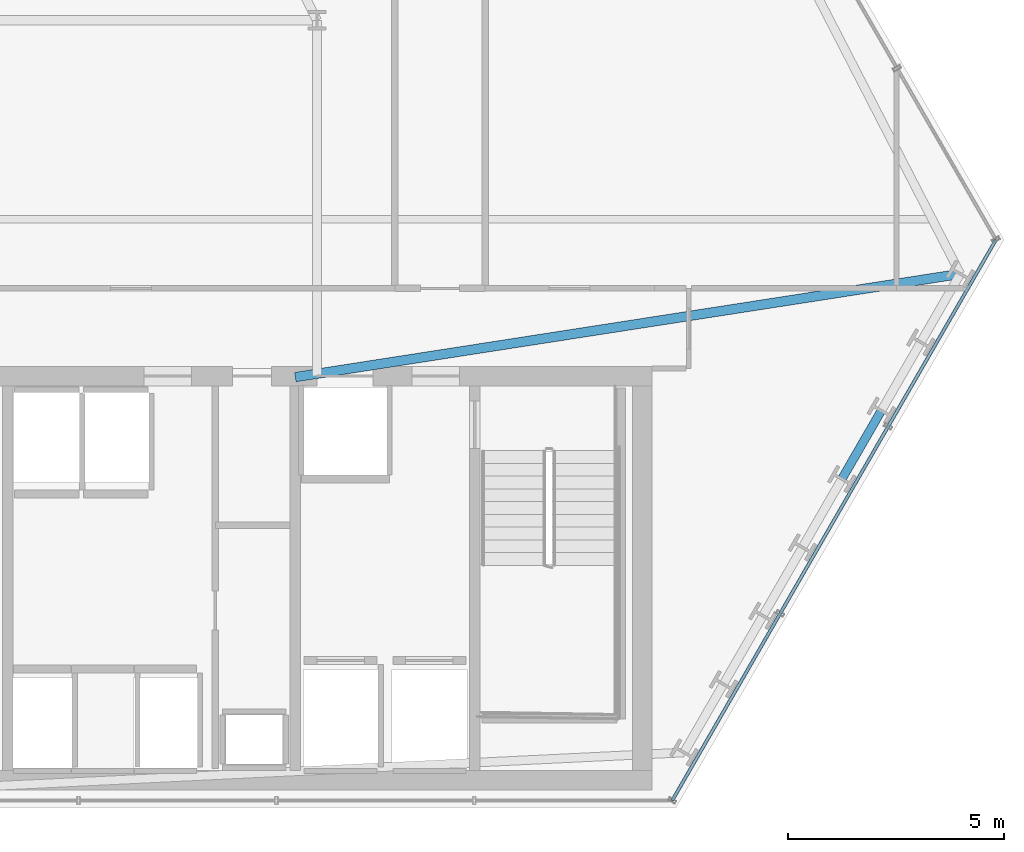
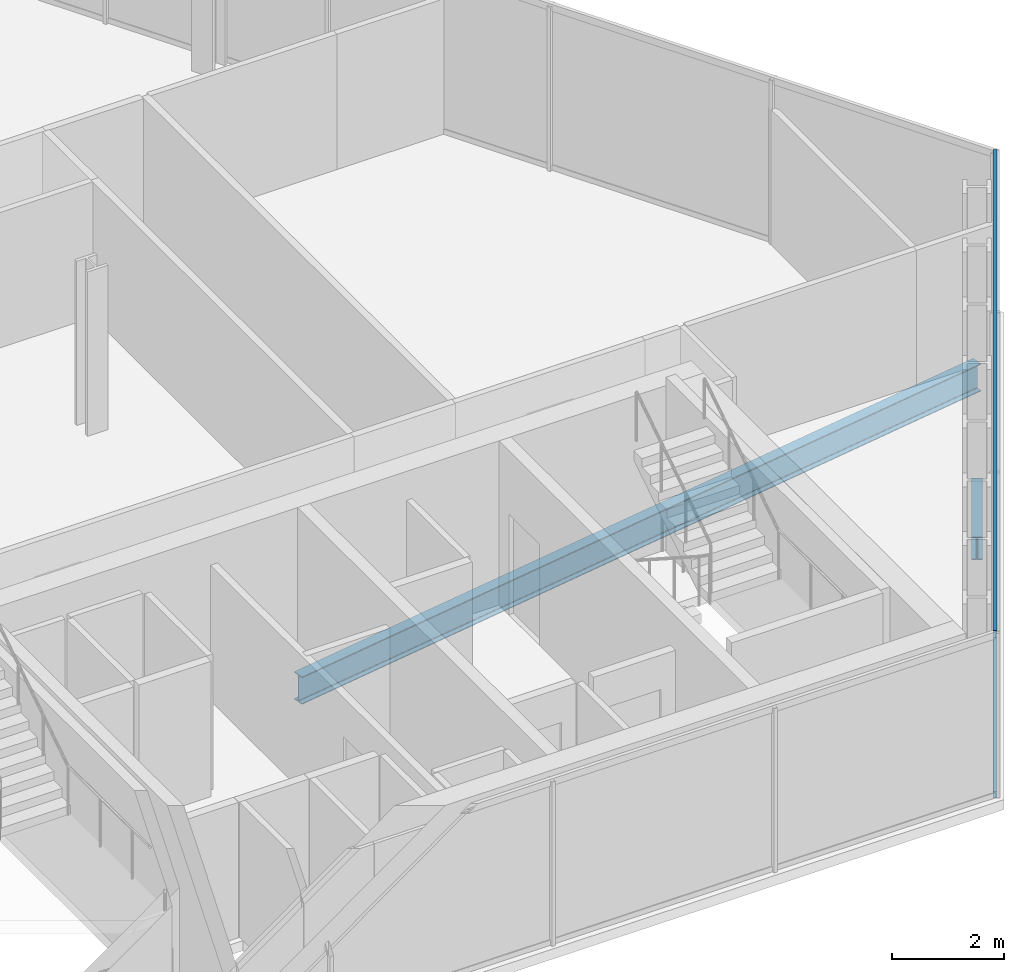
# One storey, part 17 of 32: 2 beams, 2 members, 1 element without a shape of its own.
"""IFC4 building model written with IfcOpenShell, lengths in metres."""

from ifc_helpers import new_model, si_unit, direction, frame, origin, origin_2d, place, context, subcontext, project, spatial, hollow_rectangle, i_section, extrude, material, layer, layer_set, material_profile, profile_set, type_object, element, aggregate, save


model = new_model("IFC4")

# Units and contexts
model_context = context("Model", 3, precision=1e-05, world=origin(), true_north=direction((0.0, 1.0)))
body_context = subcontext(model_context, "Body", "Model", "MODEL_VIEW")
ifc_project = project(units=[si_unit("LENGTHUNIT", "METRE"), si_unit("AREAUNIT", "SQUARE_METRE"), si_unit("VOLUMEUNIT", "CUBIC_METRE"), si_unit("PLANEANGLEUNIT", "RADIAN"), si_unit("MASSUNIT", "GRAM", prefix="KILO")], contexts=[model_context])

# Site, building, storey
site_placement = place(None, origin())
site = spatial("IfcSite", under=ifc_project, at=site_placement, CompositionType="ELEMENT")
building_placement = place(site_placement, origin())
building = spatial("IfcBuilding", under=site, at=building_placement, Name="Ndaravel Arena Tower", CompositionType="ELEMENT")
storey_placement = place(building_placement, frame((0.0, 0.0, 74.0)))
storey = spatial("IfcBuildingStorey", under=building, at=storey_placement, Name="L16", CompositionType="ELEMENT", Elevation=74.0)

# Beams
ifc_material_1 = material(Name="Steel S355", Category="steel")
ifc_material_profile_1 = material_profile(ifc_material_1, i_section(OverallWidth=0.219970703125, OverallDepth=0.60009765625, WebThickness=0.011962890625, FlangeThickness=0.01904296875, FilletRadius=0.02392578125, at=origin_2d()), Name="IPE 600")
ifc_profile_set_1 = profile_set([ifc_material_profile_1], Name="Steel S355")
beam_type_1 = type_object("IfcBeamType", Name="BM-GIRD-IPE600", PredefinedType="BEAM", material=ifc_profile_set_1)
beam_1_placement = place(storey_placement, frame((64.675537109375, 17.336669921875, -0.52001953125), z_axis=(-0.988165457606, -0.153391748127, 0.0), x_axis=(0.153391748127, -0.988165457606, 0.0)))
element("IfcBeam", 1, at=beam_1_placement, inside=storey, type_object=beam_type_1, Name="L16 Radial Floor Girder FG-09", PredefinedType="BEAM", context=body_context, shape_type="SweptSolid", body=[
    extrude(i_section(OverallWidth=0.219970703125, OverallDepth=0.60009765625, WebThickness=0.011962890625, FlangeThickness=0.01904296875, FilletRadius=0.02392578125, at=origin_2d()), origin(), (0.0, 0.0, 1.0), 15.5595703125),
])
ifc_material_2 = material(Name="Steel S355", Category="steel")
ifc_material_profile_2 = material_profile(ifc_material_2, i_section(OverallWidth=0.199951171875, OverallDepth=0.5, WebThickness=0.01025390625, FlangeThickness=0.01611328125, FilletRadius=0.02099609375, at=origin_2d()), Name="IPE 500")
ifc_profile_set_2 = profile_set([ifc_material_profile_2], Name="Steel S355")
beam_type_2 = type_object("IfcBeamType", Name="BM-SPAN-IPE500", PredefinedType="SPANDREL", material=ifc_profile_set_2)
beam_2_placement = place(storey_placement, frame((61.9375, 12.593994140625, -0.469970703125), z_axis=(0.499965592563, 0.866045268016, 0.0), x_axis=(-0.866045268016, 0.499965592563, 0.0)))
element("IfcBeam", 2, at=beam_2_placement, inside=storey, type_object=beam_type_2, Name="L16 Perimeter Spandrel Beam SP-06", PredefinedType="SPANDREL", context=body_context, shape_type="SweptSolid", body=[
    extrude(i_section(OverallWidth=0.199951171875, OverallDepth=0.5, WebThickness=0.01025390625, FlangeThickness=0.01611328125, FilletRadius=0.02099609375, at=origin_2d()), origin(), (0.0, 0.0, 1.0), 1.825439453125),
])

# Curtain wall, members
ifc_material_3 = material(Name="Aluminium", Category="aluminium")
ifc_layer = layer(ifc_material_3, 0.179931640625)
ifc_layer_set = layer_set([ifc_layer], Name="Aluminium")
curtain_wall_type = type_object("IfcCurtainWallType", Name="CW-SYS-01", PredefinedType="NOTDEFINED", material=ifc_layer_set)
curtain_wall_placement = place(storey_placement, origin())
curtain_wall = element("IfcCurtainWall", 3, at=curtain_wall_placement, inside=storey, type_object=curtain_wall_type, Name="L16 Faceted Crystal Curtain Wall CW-L16-E02", PredefinedType="NOTDEFINED")
ifc_material_4 = material(Name="Aluminium", Category="aluminium")
ifc_material_profile_3 = material_profile(ifc_material_4, hollow_rectangle(XDim=0.074951171875, YDim=0.14990234375, WallThickness=0.00390625, at=origin_2d()), Name="CW TRANSOM 75x150x4")
ifc_profile_set_3 = profile_set([ifc_material_profile_3], Name="Aluminium")
member_type = type_object("IfcMemberType", Name="MEM-CW-TRN150", PredefinedType="USERDEFINED", material=ifc_profile_set_3)
member_1_placement = place(storey_placement, frame((58.014892578125, 5.159912109375, 0.0400390625), z_axis=(0.499995326169, 0.866028102205, 0.0), x_axis=(-0.866028102205, 0.499995326169, 0.0)))
member_1 = element("IfcMember", 4, at=member_1_placement, type_object=member_type, Name="CW-L16-E02 Transom 01", ObjectType="TRANSOM", PredefinedType="USERDEFINED", context=body_context, shape_type="SweptSolid", body=[
    extrude(hollow_rectangle(XDim=0.074951171875, YDim=0.14990234375, WallThickness=0.00390625, at=origin_2d()), origin(), (0.0, 0.0, 1.0), 14.973388671875),
])
member_2_placement = place(storey_placement, frame((58.014892578125, 5.159912109375, 3.5400390625), z_axis=(0.499995326169, 0.866028102205, 0.0), x_axis=(-0.866028102205, 0.499995326169, 0.0)))
member_2 = element("IfcMember", 5, at=member_2_placement, type_object=member_type, Name="CW-L16-E02 Transom 02", ObjectType="TRANSOM", PredefinedType="USERDEFINED", context=body_context, shape_type="SweptSolid", body=[
    extrude(hollow_rectangle(XDim=0.074951171875, YDim=0.14990234375, WallThickness=0.00390625, at=origin_2d()), origin(), (0.0, 0.0, 1.0), 14.973388671875),
])
aggregate(curtain_wall, [member_1, member_2])

save(model, "model.ifc")
